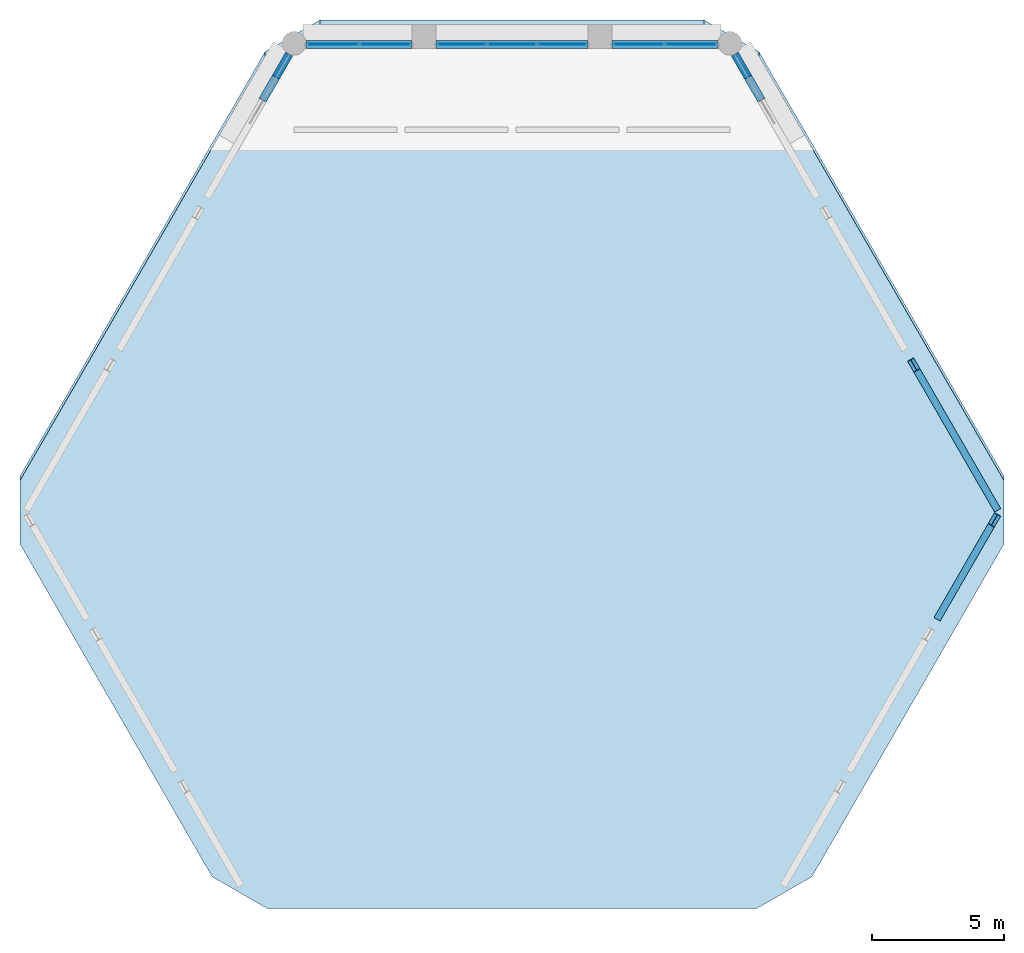
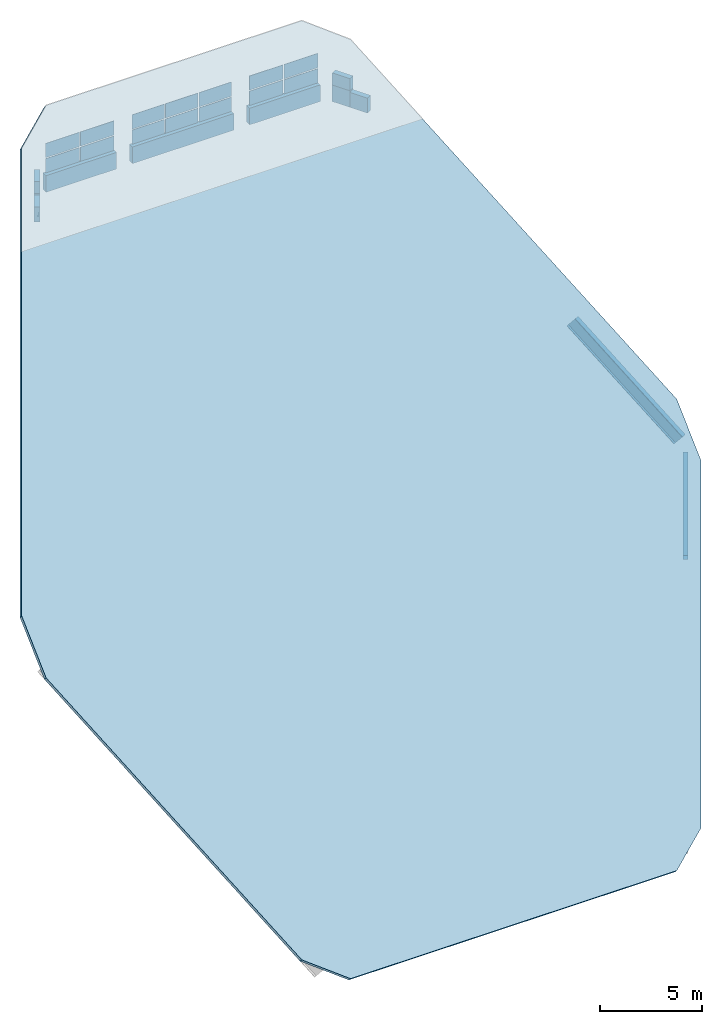
# One storey, part 6 of 7: 14 plates, 9 walls, 2 members, 1 slab, 3 elements without a shape of their own.
"""IFC4 building model written with IfcOpenShell, lengths in metres."""

from ifc_helpers import new_model, si_unit, direction, frame, frame_2d, origin, origin_2d, place, context, subcontext, project, spatial, polyline, rectangle, i_section, outline, extrude, material, layer, layer_set, material_profile, profile_set, type_object, element, aggregate, save


model = new_model("IFC4")

# Units and contexts
model_context = context("Model", 3, precision=1e-05, world=origin(), true_north=direction((0.0, 1.0)))
body_context = subcontext(model_context, "Body", "Model", "MODEL_VIEW")
ifc_project = project(units=[si_unit("LENGTHUNIT", "METRE"), si_unit("AREAUNIT", "SQUARE_METRE"), si_unit("VOLUMEUNIT", "CUBIC_METRE"), si_unit("PLANEANGLEUNIT", "RADIAN"), si_unit("MASSUNIT", "GRAM", prefix="KILO")], contexts=[model_context])

# Site, building, storey
site_placement = place(None, origin())
site = spatial("IfcSite", under=ifc_project, at=site_placement, CompositionType="ELEMENT")
building_placement = place(site_placement, origin())
building = spatial("IfcBuilding", under=site, at=building_placement, Name="Ostrander Bayou Hotel Tower", CompositionType="ELEMENT")
storey_placement = place(building_placement, frame((0.0, 0.0, 302.0)))
storey = spatial("IfcBuildingStorey", under=building, at=storey_placement, Name="Roof 74", CompositionType="ELEMENT", Elevation=302.0)

# Members
ifc_material_1 = material(Name="Steel ASTM A992", Category="steel")
ifc_material_profile = material_profile(ifc_material_1, i_section(OverallWidth=0.26708984375, OverallDepth=0.779052734375, WebThickness=0.0166015625, FlangeThickness=0.030029296875, at=origin_2d()))
ifc_profile_set = profile_set([ifc_material_profile], Name="Steel ASTM A992")
member_type = type_object("IfcMemberType", Name="CR2 crown rafter W30x148", PredefinedType="RAFTER", material=ifc_profile_set)
member_1_placement = place(storey_placement, frame((16.205078125, -4.991943359375, -17.375), z_axis=(0.387476727048, 0.671087523329, 0.632062751654), x_axis=(-0.86601190052, 0.50002338761, 0.0)))
element("IfcMember", 1, at=member_1_placement, inside=storey, type_object=member_type, Name="CR2 SE 3", PredefinedType="RAFTER", context=body_context, shape_type="SweptSolid", body=[
    extrude(i_section(OverallWidth=0.26708984375, OverallDepth=0.779052734375, WebThickness=0.0166015625, FlangeThickness=0.030029296875, at=origin_2d()), origin(), (0.0, 0.0, 1.0), 5.286376953125),
])
member_2_placement = place(storey_placement, frame((18.25341796875, -0.868408203125, -13.4912109375), z_axis=(-0.387459178831, 0.671074831348, 0.632086984102), x_axis=(-0.866017611601, -0.500013496215, 0.0)))
element("IfcMember", 2, at=member_2_placement, inside=storey, type_object=member_type, Name="CR2 NE 1", PredefinedType="RAFTER", context=body_context, shape_type="SweptSolid", body=[
    extrude(i_section(OverallWidth=0.26708984375, OverallDepth=0.779052734375, WebThickness=0.0166015625, FlangeThickness=0.030029296875, at=origin_2d()), origin(), (0.0, 0.0, 1.0), 7.871337890625),
])

# Curtain wall, plates
ifc_material_2 = material(Name="Aluminium and clear glass", Category="aluminium")
curtain_wall_type = type_object("IfcCurtainWallType", Name="CW-CROWN glazed wall", PredefinedType="NOTDEFINED", material=ifc_material_2)
curtain_wall_1_placement = place(storey_placement, origin())
curtain_wall_1 = element("IfcCurtainWall", 3, at=curtain_wall_1_placement, inside=storey, type_object=curtain_wall_type, Name="CW-CROWN L74:N-1", PredefinedType="NOTDEFINED")
ifc_material_3 = material(Name="Clear laminated glass", Category="glass")
ifc_layer_1 = layer(ifc_material_3, 0.028076171875)
ifc_layer_set_1 = layer_set([ifc_layer_1], Name="CW-CR glazing panel 28 mm")
plate_type = type_object("IfcPlateType", Name="CW-CR glazing panel 28 mm", PredefinedType="CURTAIN_PANEL", material=ifc_layer_set_1)
plate_1_placement = place(storey_placement, frame((6.77685546875, 16.550048828125, 1.06005859375), z_axis=(0.0, 0.0, 1.0), x_axis=(-1.0, 0.0, 0.0)))
plate_1 = element("IfcPlate", 4, at=plate_1_placement, type_object=plate_type, Name="CW-CROWN panel 1.1", PredefinedType="CURTAIN_PANEL", context=body_context, shape_type="SweptSolid", body=[
    extrude(rectangle(XDim=1.918212890625, YDim=0.028076171875, at=origin_2d()), origin(), (0.0, 0.0, 1.0), 0.856689453125),
])
plate_2_placement = place(storey_placement, frame((6.77685546875, 16.550048828125, 1.97705078125), z_axis=(0.0, 0.0, 1.0), x_axis=(-1.0, 0.0, 0.0)))
plate_2 = element("IfcPlate", 5, at=plate_2_placement, type_object=plate_type, Name="CW-CROWN panel 1.2", PredefinedType="CURTAIN_PANEL", context=body_context, shape_type="SweptSolid", body=[
    extrude(rectangle(XDim=1.918212890625, YDim=0.028076171875, at=origin_2d()), origin(), (0.0, 0.0, 1.0), 0.856689453125),
])
plate_3_placement = place(storey_placement, frame((4.798583984375, 16.550048828125, 1.06005859375), z_axis=(0.0, 0.0, 1.0), x_axis=(-1.0, 0.0, 0.0)))
plate_3 = element("IfcPlate", 6, at=plate_3_placement, type_object=plate_type, Name="CW-CROWN panel 2.1", PredefinedType="CURTAIN_PANEL", context=body_context, shape_type="SweptSolid", body=[
    extrude(rectangle(XDim=1.918212890625, YDim=0.028076171875, at=origin_2d()), origin(), (0.0, 0.0, 1.0), 0.856689453125),
])
plate_4_placement = place(storey_placement, frame((4.798583984375, 16.550048828125, 1.97705078125), z_axis=(0.0, 0.0, 1.0), x_axis=(-1.0, 0.0, 0.0)))
plate_4 = element("IfcPlate", 7, at=plate_4_placement, type_object=plate_type, Name="CW-CROWN panel 2.2", PredefinedType="CURTAIN_PANEL", context=body_context, shape_type="SweptSolid", body=[
    extrude(rectangle(XDim=1.918212890625, YDim=0.028076171875, at=origin_2d()), origin(), (0.0, 0.0, 1.0), 0.856689453125),
])
aggregate(curtain_wall_1, [plate_1, plate_2, plate_3, plate_4])

curtain_wall_2_placement = place(storey_placement, origin())
curtain_wall_2 = element("IfcCurtainWall", 8, at=curtain_wall_2_placement, inside=storey, type_object=curtain_wall_type, Name="CW-CROWN L74:N-2", PredefinedType="NOTDEFINED")
plate_5_placement = place(storey_placement, frame((1.904541015625, 16.550048828125, 1.06005859375), z_axis=(0.0, 0.0, 1.0), x_axis=(-1.0, 0.0, 0.0)))
plate_5 = element("IfcPlate", 9, at=plate_5_placement, type_object=plate_type, Name="CW-CROWN panel 1.1", PredefinedType="CURTAIN_PANEL", context=body_context, shape_type="SweptSolid", body=[
    extrude(rectangle(XDim=1.82958984375, YDim=0.028076171875, at=origin_2d()), origin(), (0.0, 0.0, 1.0), 0.856689453125),
])
plate_6_placement = place(storey_placement, frame((1.904541015625, 16.550048828125, 1.97705078125), z_axis=(0.0, 0.0, 1.0), x_axis=(-1.0, 0.0, 0.0)))
plate_6 = element("IfcPlate", 10, at=plate_6_placement, type_object=plate_type, Name="CW-CROWN panel 1.2", PredefinedType="CURTAIN_PANEL", context=body_context, shape_type="SweptSolid", body=[
    extrude(rectangle(XDim=1.82958984375, YDim=0.028076171875, at=origin_2d()), origin(), (0.0, 0.0, 1.0), 0.856689453125),
])
plate_7_placement = place(storey_placement, frame((0.0, 16.550048828125, 1.06005859375), z_axis=(0.0, 0.0, 1.0), x_axis=(-1.0, 0.0, 0.0)))
plate_7 = element("IfcPlate", 11, at=plate_7_placement, type_object=plate_type, Name="CW-CROWN panel 2.1", PredefinedType="CURTAIN_PANEL", context=body_context, shape_type="SweptSolid", body=[
    extrude(rectangle(XDim=1.859619140625, YDim=0.028076171875, at=origin_2d()), origin(), (0.0, 0.0, 1.0), 0.856689453125),
])
plate_8_placement = place(storey_placement, frame((0.0, 16.550048828125, 1.97705078125), z_axis=(0.0, 0.0, 1.0), x_axis=(-1.0, 0.0, 0.0)))
plate_8 = element("IfcPlate", 12, at=plate_8_placement, type_object=plate_type, Name="CW-CROWN panel 2.2", PredefinedType="CURTAIN_PANEL", context=body_context, shape_type="SweptSolid", body=[
    extrude(rectangle(XDim=1.859619140625, YDim=0.028076171875, at=origin_2d()), origin(), (0.0, 0.0, 1.0), 0.856689453125),
])
plate_9_placement = place(storey_placement, frame((-1.904541015625, 16.550048828125, 1.06005859375), z_axis=(0.0, 0.0, 1.0), x_axis=(-1.0, 0.0, 0.0)))
plate_9 = element("IfcPlate", 13, at=plate_9_placement, type_object=plate_type, Name="CW-CROWN panel 3.1", PredefinedType="CURTAIN_PANEL", context=body_context, shape_type="SweptSolid", body=[
    extrude(rectangle(XDim=1.82958984375, YDim=0.028076171875, at=origin_2d()), origin(), (0.0, 0.0, 1.0), 0.856689453125),
])
plate_10_placement = place(storey_placement, frame((-1.904541015625, 16.550048828125, 1.97705078125), z_axis=(0.0, 0.0, 1.0), x_axis=(-1.0, 0.0, 0.0)))
plate_10 = element("IfcPlate", 14, at=plate_10_placement, type_object=plate_type, Name="CW-CROWN panel 3.2", PredefinedType="CURTAIN_PANEL", context=body_context, shape_type="SweptSolid", body=[
    extrude(rectangle(XDim=1.82958984375, YDim=0.028076171875, at=origin_2d()), origin(), (0.0, 0.0, 1.0), 0.856689453125),
])
aggregate(curtain_wall_2, [plate_5, plate_6, plate_7, plate_8, plate_9, plate_10])

curtain_wall_3_placement = place(storey_placement, origin())
curtain_wall_3 = element("IfcCurtainWall", 15, at=curtain_wall_3_placement, inside=storey, type_object=curtain_wall_type, Name="CW-CROWN L74:N-3", PredefinedType="NOTDEFINED")
plate_11_placement = place(storey_placement, frame((-4.798583984375, 16.550048828125, 1.06005859375), z_axis=(0.0, 0.0, 1.0), x_axis=(-1.0, 0.0, 0.0)))
plate_11 = element("IfcPlate", 16, at=plate_11_placement, type_object=plate_type, Name="CW-CROWN panel 1.1", PredefinedType="CURTAIN_PANEL", context=body_context, shape_type="SweptSolid", body=[
    extrude(rectangle(XDim=1.918212890625, YDim=0.028076171875, at=origin_2d()), origin(), (0.0, 0.0, 1.0), 0.856689453125),
])
plate_12_placement = place(storey_placement, frame((-4.798583984375, 16.550048828125, 1.97705078125), z_axis=(0.0, 0.0, 1.0), x_axis=(-1.0, 0.0, 0.0)))
plate_12 = element("IfcPlate", 17, at=plate_12_placement, type_object=plate_type, Name="CW-CROWN panel 1.2", PredefinedType="CURTAIN_PANEL", context=body_context, shape_type="SweptSolid", body=[
    extrude(rectangle(XDim=1.918212890625, YDim=0.028076171875, at=origin_2d()), origin(), (0.0, 0.0, 1.0), 0.856689453125),
])
plate_13_placement = place(storey_placement, frame((-6.77685546875, 16.550048828125, 1.06005859375), z_axis=(0.0, 0.0, 1.0), x_axis=(-1.0, 0.0, 0.0)))
plate_13 = element("IfcPlate", 18, at=plate_13_placement, type_object=plate_type, Name="CW-CROWN panel 2.1", PredefinedType="CURTAIN_PANEL", context=body_context, shape_type="SweptSolid", body=[
    extrude(rectangle(XDim=1.918212890625, YDim=0.028076171875, at=origin_2d()), origin(), (0.0, 0.0, 1.0), 0.856689453125),
])
plate_14_placement = place(storey_placement, frame((-6.77685546875, 16.550048828125, 1.97705078125), z_axis=(0.0, 0.0, 1.0), x_axis=(-1.0, 0.0, 0.0)))
plate_14 = element("IfcPlate", 19, at=plate_14_placement, type_object=plate_type, Name="CW-CROWN panel 2.2", PredefinedType="CURTAIN_PANEL", context=body_context, shape_type="SweptSolid", body=[
    extrude(rectangle(XDim=1.918212890625, YDim=0.028076171875, at=origin_2d()), origin(), (0.0, 0.0, 1.0), 0.856689453125),
])
aggregate(curtain_wall_3, [plate_11, plate_12, plate_13, plate_14])

# Slab
ifc_material_4 = material(Name="Concrete f'c 40 MPa", Category="concrete")
ifc_layer_2 = layer(ifc_material_4, 0.25)
ifc_layer_set_2 = layer_set([ifc_layer_2], Name="SL6C sloped crown roof slab 250 mm f'c 40 MPa")
slab_type = type_object("IfcSlabType", Name="SL6C sloped crown roof slab 250 mm f'c 40 MPa", PredefinedType="ROOF", material=ifc_layer_set_2)
slab_placement = place(storey_placement, frame((-9.345703125, 16.10009765625, 3.36962890625), z_axis=(0.0, -0.685636760998, 0.727943838472), x_axis=(0.783503977946, 0.452334669716, 0.426045611543)))
element("IfcSlab", 20, at=slab_placement, inside=storey, type_object=slab_type, Name="SL6C CROWN ROOF", PredefinedType="ROOF", context=body_context, shape_type="SweptSolid", body=[
    extrude(outline(polyline([(0.0, 0.0), (2.6529709353842947, 0.0), (14.040558536729531, -9.03134695437097), (14.644791150288775, -11.614592535554687), (8.201701325513866, -34.6569338859847), (6.153067018730694, -37.24004831503715), (-10.285305264136849, -46.27216890707482), (-12.938084914370275, -46.27232061282895), (-27.46466184142396, -34.751482233321454), (-28.06870316983234, -32.16838835789186), (-23.017918488310034, -14.10492081148321), (-20.96928418152686, -11.52180638243076), (0.0, 0.0)])), origin(), (0.0, 0.0, -1.0), 0.25),
])

# Walls
ifc_material_5 = material(Name="Reconstituted stone on masonry backing", Category="masonry")
ifc_layer_3 = layer(ifc_material_5, 0.300048828125)
ifc_layer_set_3 = layer_set([ifc_layer_3], Name="NW1 north stone wall 300 mm")
wall_type = type_object("IfcWallType", Name="NW1 north stone wall 300 mm", PredefinedType="SOLIDWALL", material=ifc_layer_set_3)
wall_1_placement = place(storey_placement, frame((7.7958984375, 16.550048828125, 0.0), z_axis=(0.0, 0.0, 1.0), x_axis=(-1.0, 0.0, 0.0)))
element("IfcWall", 21, at=wall_1_placement, inside=storey, type_object=wall_type, Name="NW1 L74 N-1 sill", PredefinedType="SOLIDWALL", context=body_context, shape_type="SweptSolid", body=[
    extrude(rectangle(XDim=4.0166015625, YDim=0.300048828125, at=frame_2d((2.00830078125, 0.0))), origin(), (0.0, 0.0, 1.0), 1.0),
])
wall_2_placement = place(storey_placement, frame((2.87939453125, 16.550048828125, 0.0), z_axis=(0.0, 0.0, 1.0), x_axis=(-1.0, 0.0, 0.0)))
element("IfcWall", 22, at=wall_2_placement, inside=storey, type_object=wall_type, Name="NW1 L74 N-2 sill", PredefinedType="SOLIDWALL", context=body_context, shape_type="SweptSolid", body=[
    extrude(rectangle(XDim=5.7587890625, YDim=0.300048828125, at=frame_2d((2.87939453125, 0.0))), origin(), (0.0, 0.0, 1.0), 1.0),
])
wall_3_placement = place(storey_placement, frame((-3.779296875, 16.550048828125, 0.0), z_axis=(0.0, 0.0, 1.0), x_axis=(-1.0, 0.0, 0.0)))
element("IfcWall", 23, at=wall_3_placement, inside=storey, type_object=wall_type, Name="NW1 L74 N-3 sill", PredefinedType="SOLIDWALL", context=body_context, shape_type="SweptSolid", body=[
    extrude(rectangle(XDim=4.0166015625, YDim=0.300048828125, at=frame_2d((2.00830078125, 0.0))), origin(), (0.0, 0.0, 1.0), 1.0),
])
wall_4_placement = place(storey_placement, frame((-8.431884765625, 16.182373046875, 0.0), z_axis=(0.0, 0.0, 1.0), x_axis=(-0.500071819257, -0.865983934946, 0.0)))
element("IfcWall", 24, at=wall_4_placement, inside=storey, type_object=wall_type, Name="NW1 L74 NW-1-1 sill", PredefinedType="SOLIDWALL", context=body_context, shape_type="SweptSolid", body=[
    extrude(rectangle(XDim=1.008056640625, YDim=0.300048828125, at=frame_2d((0.50390625, 0.0))), origin(), (0.0, 0.0, 1.0), 1.0),
])
wall_5_placement = place(storey_placement, frame((-8.431884765625, 16.182373046875, 1.0), z_axis=(0.0, 0.0, 1.0), x_axis=(-0.500071819257, -0.865983934946, 0.0)))
element("IfcWall", 25, at=wall_5_placement, inside=storey, type_object=wall_type, Name="NW1 L74 NW-1-1 infill", PredefinedType="SOLIDWALL", context=body_context, shape_type="SweptSolid", body=[
    extrude(rectangle(XDim=1.008056640625, YDim=0.300048828125, at=frame_2d((0.50390625, 0.0))), origin(), (0.0, 0.0, 1.0), 0.72509765625),
])
for number, where, z_axis, x_axis, name in (
    (26, (-8.93603515625, 15.309326171875, 0.0), (0.0, 0.0, 1.0), (-0.500071819257, -0.865983934946, 0.0), "NW1 L74 NW-1-2 sill"),
    (27, (9.440185546875, 14.436279296875, 0.0), (0.0, 0.0, 1.0), (-0.500071819257, 0.865983934946, 0.0), "NW1 L74 NE-3-5 sill"),
):
    element("IfcWall", number, at=place(storey_placement, frame(where, z_axis=z_axis, x_axis=x_axis)), inside=storey, type_object=wall_type, Name=name, PredefinedType="SOLIDWALL", context=body_context, shape_type="SweptSolid", body=[
        extrude(rectangle(XDim=1.008056640625, YDim=0.300048828125, at=frame_2d((0.50390625, 0.0))), origin(), (0.0, 0.0, 1.0), 0.902587890625),
    ])
wall_6_placement = place(storey_placement, frame((8.93603515625, 15.309326171875, 0.0), z_axis=(0.0, 0.0, 1.0), x_axis=(-0.500071819257, 0.865983934946, 0.0)))
element("IfcWall", 28, at=wall_6_placement, inside=storey, type_object=wall_type, Name="NW1 L74 NE-3-6 sill", PredefinedType="SOLIDWALL", context=body_context, shape_type="SweptSolid", body=[
    extrude(rectangle(XDim=1.008056640625, YDim=0.300048828125, at=frame_2d((0.50390625, 0.0))), origin(), (0.0, 0.0, 1.0), 1.0),
])
wall_7_placement = place(storey_placement, frame((8.93603515625, 15.309326171875, 1.0), z_axis=(0.0, 0.0, 1.0), x_axis=(-0.500071819257, 0.865983934946, 0.0)))
element("IfcWall", 29, at=wall_7_placement, inside=storey, type_object=wall_type, Name="NW1 L74 NE-3-6 infill", PredefinedType="SOLIDWALL", context=body_context, shape_type="SweptSolid", body=[
    extrude(rectangle(XDim=1.008056640625, YDim=0.300048828125, at=frame_2d((0.50390625, 0.0))), origin(), (0.0, 0.0, 1.0), 0.72509765625),
])

save(model, "model.ifc")
